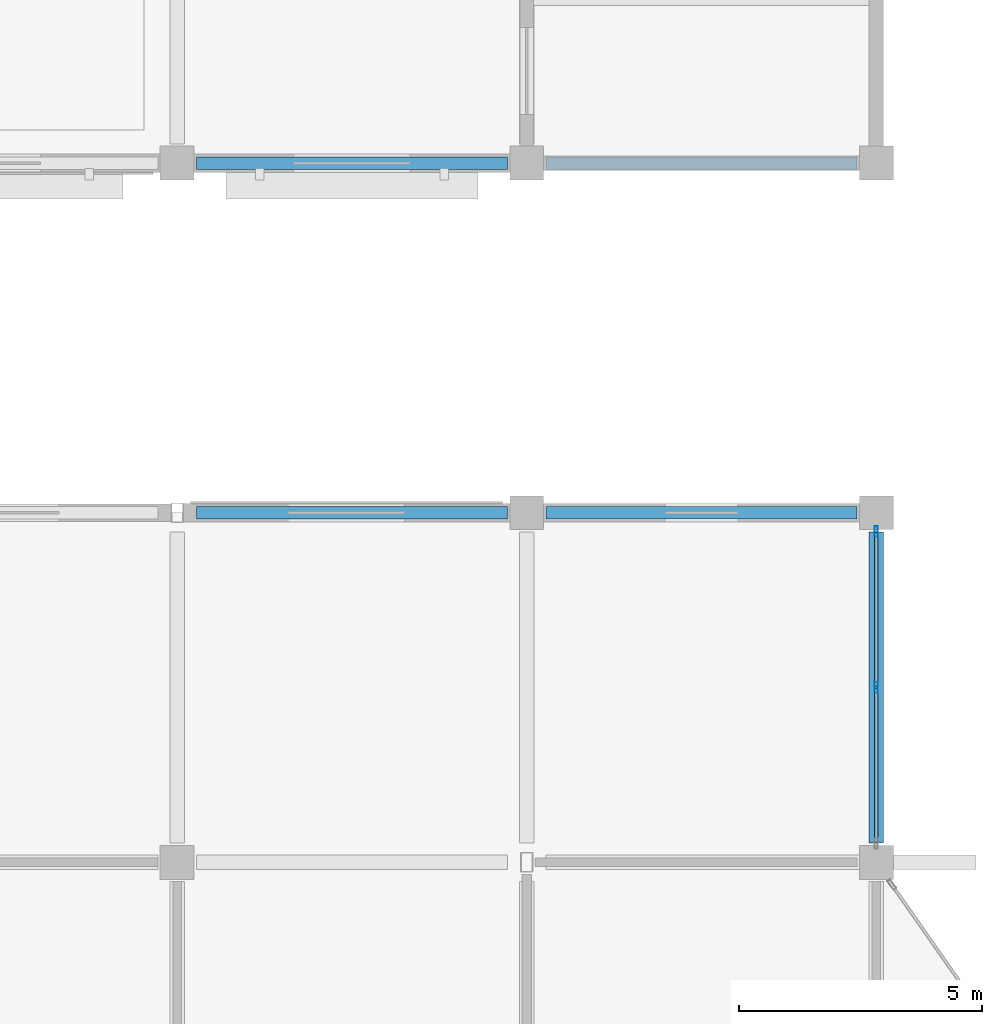
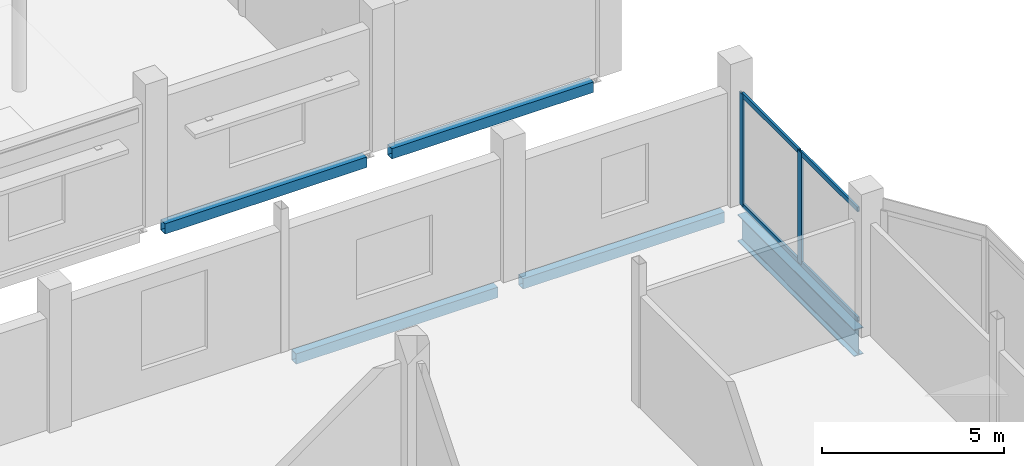
# One storey, part 73 of 120: 6 members, 5 beams, 1 element without a shape of its own.
"""IFC4 building model written with IfcOpenShell, lengths in metres."""

import ifcopenshell
import ifcopenshell.guid

model = None  # the IFC model being written
_history = None  # IfcOwnerHistory: only IFC2X3 demands one
_inside = {}  # id of a spatial element -> (the spatial element, [elements in it])
_under = {}  # id of a project, library or spatial element -> (it, [spatial elements below it])
_declared = {}  # id of a project -> (the project, [libraries it declares])
_typed = {}  # id of a type object -> (the type object, [elements of that type])
_made_of = {}  # id of a material, layer set ... -> (it, [elements and type objects made of it])


def new_model(schema):
    """Start an empty IFC model of exactly this schema.

    Asked for "IFC4X3", IfcOpenShell would pick the latest addendum, in which some entities
    have other attributes; the version numbers below select the first issue.
    IFC2X3 requires an IfcOwnerHistory on every rooted entity: one is made here for all.
    """
    global model, _history
    if schema == "IFC4X3":
        model = ifcopenshell.file(schema_version=(4, 3, 0, 0))
    else:
        model = ifcopenshell.file(schema=schema)
    _inside.clear()
    _under.clear()
    _declared.clear()
    _typed.clear()
    _made_of.clear()
    _history = None
    if model.schema == "IFC2X3":
        org = make("IfcOrganization", Name="unknown")
        user = make(
            "IfcPersonAndOrganization",
            ThePerson=make("IfcPerson", FamilyName="unknown"),
            TheOrganization=org,
        )
        app = make(
            "IfcApplication",
            ApplicationDeveloper=org,
            Version="unknown",
            ApplicationFullName="unknown",
            ApplicationIdentifier="unknown",
        )
        _history = make(
            "IfcOwnerHistory",
            OwningUser=user,
            OwningApplication=app,
            ChangeAction="ADDED",
            CreationDate=0,
        )
    return model


def make(cls, **values):
    """One entity of the class cls with the attributes given. An attribute that is None is left unset."""
    return model.create_entity(
        cls, **{name: value for name, value in values.items() if value is not None}
    )


def rooted(cls, **values):
    """An entity with a GlobalId (a new one), such as an element, a storey or a relation."""
    return make(cls, GlobalId=ifcopenshell.guid.new(), OwnerHistory=_history, **values)


def si_unit(unit_type, name, prefix=None):
    """IfcSIUnit, for example si_unit("LENGTHUNIT", "METRE", prefix="MILLI")."""
    return make("IfcSIUnit", UnitType=unit_type, Prefix=prefix, Name=name)


def assignment(units):
    """IfcUnitAssignment: the units of a project."""
    return None if units is None else make("IfcUnitAssignment", Units=units)


def point(xyz):
    """IfcCartesianPoint."""
    return None if xyz is None else make("IfcCartesianPoint", Coordinates=xyz)


def direction(xyz):
    """IfcDirection."""
    return None if xyz is None else make("IfcDirection", DirectionRatios=xyz)


def frame(location, z_axis=None, x_axis=None):
    """IfcAxis2Placement3D, a coordinate frame: its origin and axes. An axis left out is left unset."""
    return make(
        "IfcAxis2Placement3D",
        Location=point(location),
        Axis=direction(z_axis),
        RefDirection=direction(x_axis),
    )


def frame_2d(location, x_axis=None):
    """IfcAxis2Placement2D, a coordinate frame in the plane: its origin and x axis."""
    return make(
        "IfcAxis2Placement2D", Location=point(location), RefDirection=direction(x_axis)
    )


def origin():
    """The frame at (0, 0, 0) with its axes left unset."""
    return frame((0.0, 0.0, 0.0))


def origin_2d():
    """The frame at (0, 0) in the plane with its x axis left unset."""
    return frame_2d((0.0, 0.0))


def place(relative_to, where):
    """IfcLocalPlacement: puts the frame where relative to a parent placement (None: the world)."""
    return make(
        "IfcLocalPlacement", PlacementRelTo=relative_to, RelativePlacement=where
    )


def context(
    kind, dimensions, precision=None, world=None, true_north=None, identifier=None
):
    """IfcGeometricRepresentationContext, for example the 3D "Model" context."""
    return make(
        "IfcGeometricRepresentationContext",
        ContextIdentifier=identifier,
        ContextType=kind,
        CoordinateSpaceDimension=dimensions,
        Precision=precision,
        WorldCoordinateSystem=world,
        TrueNorth=true_north,
    )


def subcontext(parent, identifier, kind, view, scale=None):
    """IfcGeometricRepresentationSubContext, for example "Body" below "Model"."""
    return make(
        "IfcGeometricRepresentationSubContext",
        ContextIdentifier=identifier,
        ContextType=kind,
        ParentContext=parent,
        TargetScale=scale,
        TargetView=view,
    )


def project(units=None, contexts=None):
    """IfcProject with its units and contexts."""
    return rooted(
        "IfcProject",
        Name="project",
        RepresentationContexts=contexts,
        UnitsInContext=assignment(units),
    )


def spatial(cls, under=None, at=None, **own):
    """A site, building, storey or space (cls), placed at a placement, below another one or the project."""
    s = rooted(cls, ObjectPlacement=at, **own)
    if under is not None:
        _under.setdefault(under.id(), (under, []))[1].append(s)
    return s


def profile(cls, at=None, kind="AREA", **sizes):
    """A parametric profile (cls). Its sizes go by their IFC names, for example OverallWidth=200.0."""
    return make(cls, ProfileType=kind, Position=at, **sizes)


def hollow_rectangle(**sizes):
    """IfcRectangleHollowProfileDef."""
    return profile("IfcRectangleHollowProfileDef", **sizes)


def i_section(**sizes):
    """IfcIShapeProfileDef."""
    return profile("IfcIShapeProfileDef", **sizes)


def extrude(swept, where, along, depth):
    """IfcExtrudedAreaSolid: the profile swept, set in the frame where, extruded along a direction by depth."""
    return make(
        "IfcExtrudedAreaSolid",
        SweptArea=swept,
        Position=where,
        ExtrudedDirection=direction(along),
        Depth=depth,
    )


def shape(context_of_items, identifier, shape_type, items):
    """IfcShapeRepresentation: the items that make up one representation, for example the "Body"."""
    return make(
        "IfcShapeRepresentation",
        ContextOfItems=context_of_items,
        RepresentationIdentifier=identifier,
        RepresentationType=shape_type,
        Items=items,
    )


def material(Name=None, Category=None):
    """IfcMaterial."""
    return make("IfcMaterial", Name=Name, Category=Category)


def material_profile(
    of_material, cross_section, Name=None, Category=None, Priority=None
):
    """IfcMaterialProfile: a cross section and its material."""
    return make(
        "IfcMaterialProfile",
        Name=Name,
        Material=of_material,
        Profile=cross_section,
        Priority=Priority,
        Category=Category,
    )


def profile_set(profiles, Name=None, composite=None):
    """IfcMaterialProfileSet."""
    return make(
        "IfcMaterialProfileSet",
        Name=Name,
        MaterialProfiles=profiles,
        CompositeProfile=composite,
    )


def made_of(thing, what):
    """Note that an element or type object is made of a material, layer set ...; save() writes the relation."""
    if what is not None:
        _made_of.setdefault(what.id(), (what, []))[1].append(thing)
    return thing


def type_object(cls, material=None, **own):
    """A type object (cls), such as IfcWallType, which elements share."""
    return made_of(rooted(cls, **own), material)


def element(
    cls,
    number,
    at=None,
    inside=None,
    cuts=None,
    type_object=None,
    material=None,
    context=None,
    identifier="Body",
    shape_type=None,
    held_by="IfcProductDefinitionShape",
    body=None,
    shapes=None,
    **own,
):
    """One element of the class cls, such as IfcWall. Its Tag is "e" and its number.

    at: its placement. inside: the storey or other place that contains it. cuts: it is an
    opening in that element (IfcRelVoidsElement). A single representation is given by context,
    identifier, shape_type and body (its items); several are given by shapes. held_by: the class
    of the entity that holds the representations. save() writes the other relations.
    """
    e = rooted(cls, Tag="e%d" % number, ObjectPlacement=at, **own)
    if body is not None:
        shapes = [shape(context, identifier, shape_type, body)]
    if shapes is not None:
        e.Representation = make(held_by, Representations=shapes)
    if inside is not None:
        _inside.setdefault(inside.id(), (inside, []))[1].append(e)
    if cuts is not None:
        rooted(
            "IfcRelVoidsElement", RelatingBuildingElement=cuts, RelatedOpeningElement=e
        )
    if type_object is not None:
        _typed.setdefault(type_object.id(), (type_object, []))[1].append(e)
    return made_of(e, material)


def aggregate(whole, parts):
    """IfcRelAggregates: a whole, such as a stair, and the parts it consists of."""
    return rooted("IfcRelAggregates", RelatingObject=whole, RelatedObjects=parts)


def save(model, path):
    """Write the relations noted so far, then the file.

    IfcRelAggregates (storeys below a building ...), IfcRelContainedInSpatialStructure (elements
    in a storey), IfcRelDefinesByType, IfcRelAssociatesMaterial and IfcRelDeclares: one each for
    every whole, place, type object, material and project.
    """
    for whole, parts in _under.values():
        aggregate(whole, parts)
    for where, things in _inside.values():
        rooted(
            "IfcRelContainedInSpatialStructure",
            RelatedElements=things,
            RelatingStructure=where,
        )
    for kind, things in _typed.values():
        rooted("IfcRelDefinesByType", RelatedObjects=things, RelatingType=kind)
    for what, things in _made_of.values():
        rooted("IfcRelAssociatesMaterial", RelatedObjects=things, RelatingMaterial=what)
    for by, libraries in _declared.values():
        rooted("IfcRelDeclares", RelatingContext=by, RelatedDefinitions=libraries)
    model.write(path)


model = new_model("IFC4")

# Units and contexts
model_context = context("Model", 3, precision=1e-05, world=origin(), true_north=direction((0.0, 1.0)))
body_context = subcontext(model_context, "Body", "Model", "MODEL_VIEW")
ifc_project = project(units=[si_unit("LENGTHUNIT", "METRE"), si_unit("AREAUNIT", "SQUARE_METRE"), si_unit("VOLUMEUNIT", "CUBIC_METRE"), si_unit("PLANEANGLEUNIT", "RADIAN"), si_unit("MASSUNIT", "GRAM", prefix="KILO")], contexts=[model_context])

# Site, building, storey
site_placement = place(None, origin())
site = spatial("IfcSite", under=ifc_project, at=site_placement, CompositionType="ELEMENT")
building_placement = place(site_placement, origin())
building = spatial("IfcBuilding", under=site, at=building_placement, Name="Vesperath Aquatics Centre", CompositionType="ELEMENT")
storey_placement = place(building_placement, frame((0.0, 0.0, 10.199951171875)))
storey = spatial("IfcBuildingStorey", under=building, at=storey_placement, Name="L02", CompositionType="ELEMENT", Elevation=10.199951171875)

# Beams
ifc_material_1 = material(Name="Steel Q355D", Category="steel")
ifc_material_profile_1 = material_profile(ifc_material_1, i_section(OverallWidth=0.300048828125, OverallDepth=0.89990234375, WebThickness=0.01611328125, FlangeThickness=0.028076171875, FilletRadius=0.028076171875, at=origin_2d()), Name="HN 900x300x16x28")
ifc_profile_set_1 = profile_set([ifc_material_profile_1], Name="Steel Q355D")
beam_type_1 = type_object("IfcBeamType", Name="BM-G06", PredefinedType="BEAM", material=ifc_profile_set_1)
beam_placement = place(storey_placement, frame((172.800048828125, 36.39990234375, -0.7099609375), z_axis=(0.0, 1.0, 0.0), x_axis=(-1.0, 0.0, 0.0)))
element("IfcBeam", 1, at=beam_placement, inside=storey, type_object=beam_type_1, Name="Floor Girder B06 L02 25 F-G", PredefinedType="BEAM", context=body_context, shape_type="SweptSolid", body=[
    extrude(i_section(OverallWidth=0.300048828125, OverallDepth=0.89990234375, WebThickness=0.01611328125, FlangeThickness=0.028076171875, FilletRadius=0.028076171875, at=origin_2d()), origin(), (0.0, 0.0, 1.0), 6.400146484375),
])
ifc_material_profile_2 = material_profile(ifc_material_1, hollow_rectangle(XDim=0.25, YDim=0.35009765625, WallThickness=0.011962890625, at=origin_2d()), Name="RHS 350x250x12")
ifc_profile_set_2 = profile_set([ifc_material_profile_2], Name="Steel Q355D")
beam_type_2 = type_object("IfcBeamType", Name="BM-SP02", PredefinedType="SPANDREL", material=ifc_profile_set_2)
for number, where, z_axis, x_axis, name in (
    (2, (158.800048828125, 43.199951171875, -0.43505859375), (1.0, 0.0, 0.0), (0.0, 1.0, 0.0), "Floor Girder SP02 L02 G 23-24"),
    (3, (158.800048828125, 50.39990234375, -0.43505859375), (1.0, 0.0, 0.0), (0.0, 1.0, 0.0), "Floor Girder SP02 L02 H 23-24"),
    (4, (166.0, 43.199951171875, -0.43505859375), (1.0, 0.0, 0.0), (0.0, 1.0, 0.0), "Floor Girder SP02 L02 G 24-25"),
    (5, (166.0, 50.39990234375, -0.43505859375), (1.0, 0.0, 0.0), (0.0, 1.0, 0.0), "Floor Girder SP02 L02 H 24-25"),
):
    element("IfcBeam", number, at=place(storey_placement, frame(where, z_axis=z_axis, x_axis=x_axis)), inside=storey, type_object=beam_type_2, Name=name, PredefinedType="SPANDREL", context=body_context, shape_type="SweptSolid", body=[
        extrude(hollow_rectangle(XDim=0.25, YDim=0.35009765625, WallThickness=0.011962890625, at=origin_2d()), origin(), (0.0, 0.0, 1.0), 6.39990234375),
    ])

# Curtain wall, members
ifc_material_2 = material(Name="Thermally broken anodised bronze aluminium curtain wall", Category="aluminium")
curtain_wall_type = type_object("IfcCurtainWallType", Name="CW-06", PredefinedType="NOTDEFINED", material=ifc_material_2)
curtain_wall_placement = place(storey_placement, origin())
curtain_wall = element("IfcCurtainWall", 6, at=curtain_wall_placement, inside=storey, type_object=curtain_wall_type, Name="Facade Curtain Wall CW06 L02_E_24_05", PredefinedType="NOTDEFINED")
ifc_material_3 = material(Name="Thermally broken anodised aluminium", Category="aluminium")
ifc_material_profile_3 = material_profile(ifc_material_3, hollow_rectangle(XDim=0.070068359375, YDim=0.219970703125, WallThickness=0.0048828125, at=origin_2d()), Name="CWM 70x220x5")
ifc_profile_set_3 = profile_set([ifc_material_profile_3], Name="Thermally broken anodised aluminium")
member_type_1 = type_object("IfcMemberType", Name="MB-CWM2", PredefinedType="MULLION", material=ifc_profile_set_3)
member_1_placement = place(storey_placement, frame((172.800048828125, 39.60009765625, 0.0), z_axis=(0.0, 0.0, 1.0), x_axis=(-1.0, 0.0, 0.0)))
member_1 = element("IfcMember", 7, at=member_1_placement, type_object=member_type_1, Name="CW06 mullion 2", PredefinedType="MULLION", context=body_context, shape_type="SweptSolid", body=[
    extrude(hollow_rectangle(XDim=0.070068359375, YDim=0.219970703125, WallThickness=0.0048828125, at=origin_2d()), origin(), (0.0, 0.0, 1.0), 3.760009765625),
])
member_2_placement = place(storey_placement, frame((172.800048828125, 42.81494140625, 0.0), z_axis=(0.0, 0.0, 1.0), x_axis=(-1.0, 0.0, 0.0)))
member_2 = element("IfcMember", 8, at=member_2_placement, type_object=member_type_1, Name="CW06 mullion 3", PredefinedType="MULLION", context=body_context, shape_type="SweptSolid", body=[
    extrude(hollow_rectangle(XDim=0.070068359375, YDim=0.219970703125, WallThickness=0.0048828125, at=origin_2d()), origin(), (0.0, 0.0, 1.0), 3.760009765625),
])
ifc_material_profile_4 = material_profile(ifc_material_3, hollow_rectangle(XDim=0.070068359375, YDim=0.159912109375, WallThickness=0.0048828125, at=origin_2d()), Name="CWT 70x160x5")
ifc_profile_set_4 = profile_set([ifc_material_profile_4], Name="Thermally broken anodised aluminium")
member_type_2 = type_object("IfcMemberType", Name="MB-CWT2", PredefinedType="USERDEFINED", material=ifc_profile_set_4)
member_3_placement = place(storey_placement, frame((172.800048828125, 36.419921875, 0.03515625), z_axis=(0.0, 1.0, 0.0), x_axis=(-1.0, 0.0, 0.0)))
member_3 = element("IfcMember", 9, at=member_3_placement, type_object=member_type_2, Name="CW06 transom 1.1", ObjectType="TRANSOM", PredefinedType="USERDEFINED", context=body_context, shape_type="SweptSolid", body=[
    extrude(hollow_rectangle(XDim=0.070068359375, YDim=0.159912109375, WallThickness=0.0048828125, at=origin_2d()), origin(), (0.0, 0.0, 1.0), 3.14501953125),
])
member_4_placement = place(storey_placement, frame((172.800048828125, 36.419921875, 3.72509765625), z_axis=(0.0, 1.0, 0.0), x_axis=(-1.0, 0.0, 0.0)))
member_4 = element("IfcMember", 10, at=member_4_placement, type_object=member_type_2, Name="CW06 transom 1.2", ObjectType="TRANSOM", PredefinedType="USERDEFINED", context=body_context, shape_type="SweptSolid", body=[
    extrude(hollow_rectangle(XDim=0.070068359375, YDim=0.159912109375, WallThickness=0.0048828125, at=origin_2d()), origin(), (0.0, 0.0, 1.0), 3.14501953125),
])
member_5_placement = place(storey_placement, frame((172.800048828125, 39.635009765625, 0.03515625), z_axis=(0.0, 1.0, 0.0), x_axis=(-1.0, 0.0, 0.0)))
member_5 = element("IfcMember", 11, at=member_5_placement, type_object=member_type_2, Name="CW06 transom 2.1", ObjectType="TRANSOM", PredefinedType="USERDEFINED", context=body_context, shape_type="SweptSolid", body=[
    extrude(hollow_rectangle(XDim=0.070068359375, YDim=0.159912109375, WallThickness=0.0048828125, at=origin_2d()), origin(), (0.0, 0.0, 1.0), 3.14501953125),
])
member_6_placement = place(storey_placement, frame((172.800048828125, 39.635009765625, 3.72509765625), z_axis=(0.0, 1.0, 0.0), x_axis=(-1.0, 0.0, 0.0)))
member_6 = element("IfcMember", 12, at=member_6_placement, type_object=member_type_2, Name="CW06 transom 2.2", ObjectType="TRANSOM", PredefinedType="USERDEFINED", context=body_context, shape_type="SweptSolid", body=[
    extrude(hollow_rectangle(XDim=0.070068359375, YDim=0.159912109375, WallThickness=0.0048828125, at=origin_2d()), origin(), (0.0, 0.0, 1.0), 3.14501953125),
])
aggregate(curtain_wall, [member_1, member_2, member_3, member_4, member_5, member_6])

save(model, "model.ifc")
